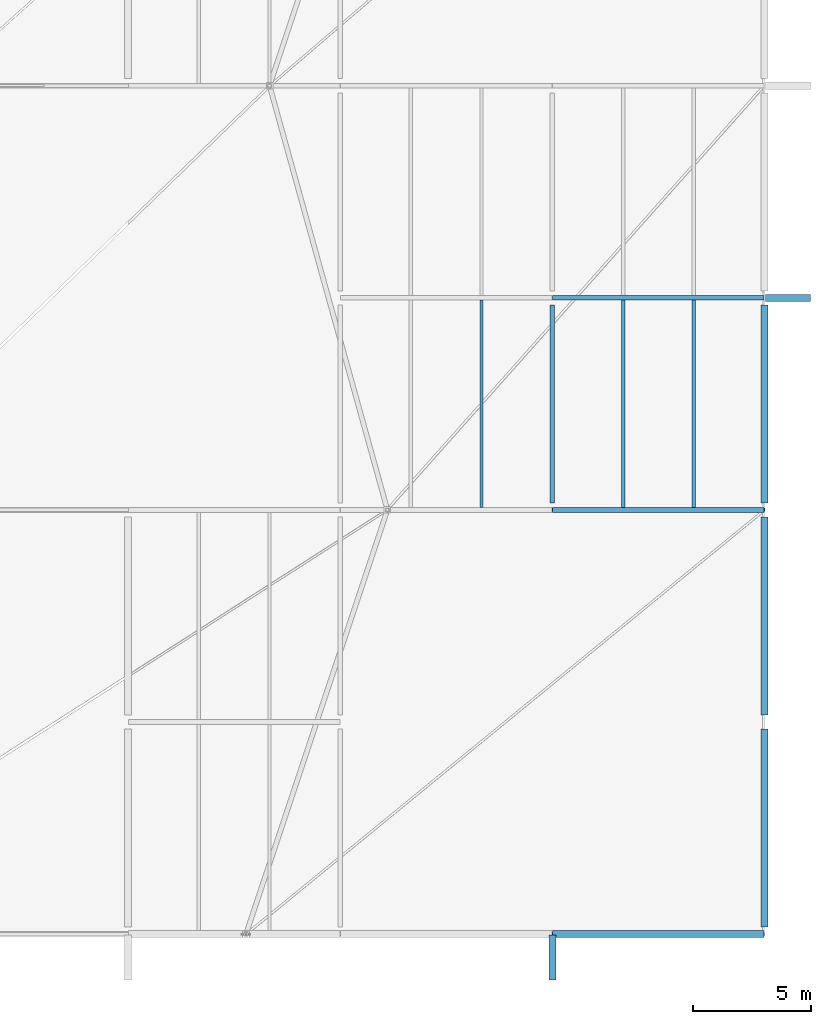
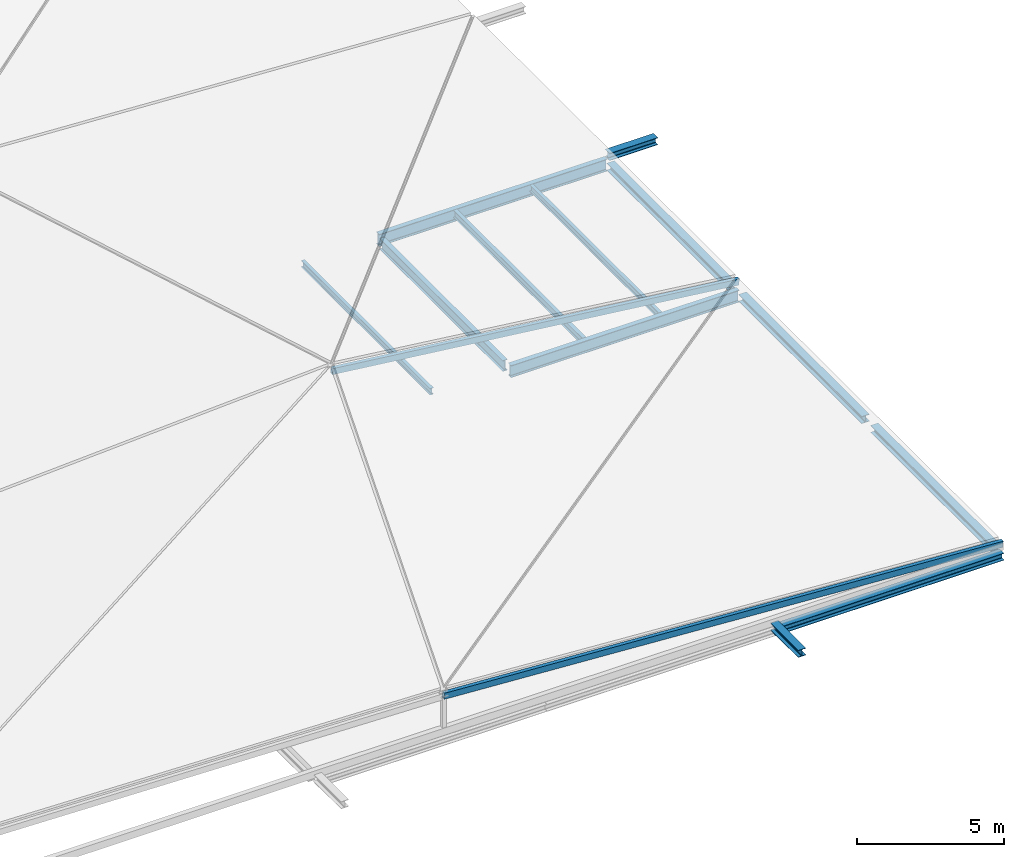
# One storey, part 6 of 18: 12 beams, 2 members.
"""IFC4 building model written with IfcOpenShell, lengths in metres."""

from ifc_helpers import new_model, si_unit, direction, frame, origin, origin_2d, place, context, subcontext, project, spatial, hollow_rectangle, i_section, extrude, material, material_profile, profile_set, type_object, element, save


model = new_model("IFC4")

# Units and contexts
model_context = context("Model", 3, precision=1e-05, world=origin(), true_north=direction((0.0, 1.0)))
body_context = subcontext(model_context, "Body", "Model", "MODEL_VIEW")
ifc_project = project(units=[si_unit("LENGTHUNIT", "METRE"), si_unit("AREAUNIT", "SQUARE_METRE"), si_unit("VOLUMEUNIT", "CUBIC_METRE"), si_unit("PLANEANGLEUNIT", "RADIAN"), si_unit("MASSUNIT", "GRAM", prefix="KILO")], contexts=[model_context])

# Site, building, storey
site_placement = place(None, origin())
site = spatial("IfcSite", under=ifc_project, at=site_placement, CompositionType="ELEMENT")
building_placement = place(site_placement, origin())
building = spatial("IfcBuilding", under=site, at=building_placement, Name="Deido Ridge Mobility Hub", CompositionType="ELEMENT")
storey_placement = place(building_placement, frame((0.0, 0.0, 29.39990234375)))
storey = spatial("IfcBuildingStorey", under=building, at=storey_placement, Name="RF", CompositionType="ELEMENT", Elevation=29.39990234375)

# Beams
ifc_material_1 = material(Name="Steel S355J2 EN 10025-2", Category="steel")
ifc_material_profile_1 = material_profile(ifc_material_1, i_section(OverallWidth=0.18994140625, OverallDepth=0.449951171875, WebThickness=0.009521484375, FlangeThickness=0.0146484375, FilletRadius=0.02099609375, at=origin_2d()), Name="IPE 450")
ifc_profile_set_1 = profile_set([ifc_material_profile_1], Name="Steel S355J2 EN 10025-2")
beam_type_1 = type_object("IfcBeamType", Name="BM-IPE450", PredefinedType="BEAM", material=ifc_profile_set_1)
beam_1_placement = place(storey_placement, frame((171.0, 18.300048828125, -0.46484375), z_axis=(0.0, 1.0, 0.0), x_axis=(-1.0, 0.0, 0.0)))
element("IfcBeam", 1, at=beam_1_placement, inside=storey, type_object=beam_type_1, Name="Floor beam B4", PredefinedType="BEAM", context=body_context, shape_type="SweptSolid", body=[
    extrude(i_section(OverallWidth=0.18994140625, OverallDepth=0.449951171875, WebThickness=0.009521484375, FlangeThickness=0.0146484375, FilletRadius=0.02099609375, at=origin_2d()), origin(), (0.0, 0.0, 1.0), 8.39990234375),
])
ifc_material_profile_2 = material_profile(ifc_material_1, i_section(OverallWidth=0.199951171875, OverallDepth=0.5, WebThickness=0.01025390625, FlangeThickness=0.01611328125, FilletRadius=0.02099609375, at=origin_2d()), Name="IPE 500")
ifc_profile_set_2 = profile_set([ifc_material_profile_2], Name="Steel S355J2 EN 10025-2")
beam_type_2 = type_object("IfcBeamType", Name="BM-IPE500", PredefinedType="BEAM", material=ifc_profile_set_2)
for number, where, z_axis, x_axis, name in (
    (2, (171.0078125, 18.0, -0.489990234375), (1.0, 0.0, 0.0), (0.0, 1.0, 0.0), "Floor beam B3"),
    (3, (171.0078125, 27.0, -0.489990234375), (1.0, 0.0, 0.0), (0.0, 1.0, 0.0), "Floor beam B3"),
):
    element("IfcBeam", number, at=place(storey_placement, frame(where, z_axis=z_axis, x_axis=x_axis)), inside=storey, type_object=beam_type_2, Name=name, PredefinedType="BEAM", context=body_context, shape_type="SweptSolid", body=[
        extrude(i_section(OverallWidth=0.199951171875, OverallDepth=0.5, WebThickness=0.01025390625, FlangeThickness=0.01611328125, FilletRadius=0.02099609375, at=origin_2d()), origin(), (0.0, 0.0, 1.0), 8.984375),
    ])
ifc_material_profile_3 = material_profile(ifc_material_1, i_section(OverallWidth=0.135009765625, OverallDepth=0.27001953125, WebThickness=0.006591796875, FlangeThickness=0.01025390625, FilletRadius=0.014892578125, at=origin_2d()), Name="IPE 270")
ifc_profile_set_3 = profile_set([ifc_material_profile_3], Name="Steel S355J2 EN 10025-2")
beam_type_3 = type_object("IfcBeamType", Name="JST-IPE270", PredefinedType="JOIST", material=ifc_profile_set_3)
for number, where, z_axis, x_axis, name in (
    (4, (168.0, 18.10009765625, -0.375), (0.0, 1.0, 0.0), (-1.0, 0.0, 0.0), "Composite joist J4"),
    (5, (177.0, 18.10009765625, -0.375), (0.0, 1.0, 0.0), (-1.0, 0.0, 0.0), "Composite joist J4"),
):
    element("IfcBeam", number, at=place(storey_placement, frame(where, z_axis=z_axis, x_axis=x_axis)), inside=storey, type_object=beam_type_3, Name=name, PredefinedType="JOIST", context=body_context, shape_type="SweptSolid", body=[
        extrude(i_section(OverallWidth=0.135009765625, OverallDepth=0.27001953125, WebThickness=0.006591796875, FlangeThickness=0.01025390625, FilletRadius=0.014892578125, at=origin_2d()), origin(), (0.0, 0.0, 1.0), 8.7998046875),
    ])
ifc_material_profile_4 = material_profile(ifc_material_1, i_section(OverallWidth=0.14990234375, OverallDepth=0.300048828125, WebThickness=0.007080078125, FlangeThickness=0.0107421875, FilletRadius=0.014892578125, at=origin_2d()), Name="IPE 300")
ifc_profile_set_4 = profile_set([ifc_material_profile_4], Name="Steel S355J2 EN 10025-2")
beam_type_4 = type_object("IfcBeamType", Name="JST-IPE300", PredefinedType="JOIST", material=ifc_profile_set_4)
beam_2_placement = place(storey_placement, frame((174.0, 18.10009765625, -0.389892578125), z_axis=(0.0, 1.0, 0.0), x_axis=(-1.0, 0.0, 0.0)))
element("IfcBeam", 6, at=beam_2_placement, inside=storey, type_object=beam_type_4, Name="Composite joist J3", PredefinedType="JOIST", context=body_context, shape_type="SweptSolid", body=[
    extrude(i_section(OverallWidth=0.14990234375, OverallDepth=0.300048828125, WebThickness=0.007080078125, FlangeThickness=0.0107421875, FilletRadius=0.014892578125, at=origin_2d()), origin(), (0.0, 0.0, 1.0), 8.7998046875),
])

# Members
ifc_material_2 = material(Name="Steel S355J2H EN 10210-1", Category="steel")
ifc_material_profile_5 = material_profile(ifc_material_2, hollow_rectangle(XDim=0.14990234375, YDim=0.25, WallThickness=0.010009765625, at=origin_2d()), Name="RHS 250x150x10")
ifc_profile_set_5 = profile_set([ifc_material_profile_5], Name="Steel S355J2H EN 10210-1")
member_type = type_object("IfcMemberType", Name="MEM-RAF-RHS250", PredefinedType="RAFTER", material=ifc_profile_set_5)
member_1_placement = place(storey_placement, frame((158.0, 0.0, 1.4501953125), z_axis=(0.998066345024, 0.0, -0.062157629708), x_axis=(0.0, 1.0, 0.0)))
element("IfcMember", 7, at=member_1_placement, inside=storey, type_object=member_type, Name="Crystal roof folded rafter RF1", PredefinedType="RAFTER", context=body_context, shape_type="SweptSolid", body=[
    extrude(hollow_rectangle(XDim=0.14990234375, YDim=0.25, WallThickness=0.010009765625, at=origin_2d()), origin(), (0.0, 0.0, 1.0), 22.042724609375),
])
member_2_placement = place(storey_placement, frame((164.0, 18.0, 1.9501953125), z_axis=(0.993238462253, 0.0, -0.116092019972), x_axis=(0.0, 1.0, 0.0)))
element("IfcMember", 8, at=member_2_placement, inside=storey, type_object=member_type, Name="Crystal roof folded rafter RF1", PredefinedType="RAFTER", context=body_context, shape_type="SweptSolid", body=[
    extrude(hollow_rectangle(XDim=0.14990234375, YDim=0.25, WallThickness=0.010009765625, at=origin_2d()), origin(), (0.0, 0.0, 1.0), 16.10888671875),
])

# Beams
ifc_material_profile_6 = material_profile(ifc_material_1, i_section(OverallWidth=0.300048828125, OverallDepth=0.300048828125, WebThickness=0.010986328125, FlangeThickness=0.01904296875, FilletRadius=0.027099609375, at=origin_2d()), Name="HEB 300")
ifc_profile_set_6 = profile_set([ifc_material_profile_6], Name="Steel S355J2 EN 10025-2")
beam_type_5 = type_object("IfcBeamType", Name="SPD-HEB300", PredefinedType="SPANDREL", material=ifc_profile_set_6)
beam_3_placement = place(storey_placement, frame((171.0078125, 0.0, -0.389892578125), z_axis=(1.0, 0.0, 0.0), x_axis=(0.0, 1.0, 0.0)))
element("IfcBeam", 9, at=beam_3_placement, inside=storey, type_object=beam_type_5, Name="Floor beam SP1", PredefinedType="SPANDREL", context=body_context, shape_type="SweptSolid", body=[
    extrude(i_section(OverallWidth=0.300048828125, OverallDepth=0.300048828125, WebThickness=0.010986328125, FlangeThickness=0.01904296875, FilletRadius=0.027099609375, at=origin_2d()), origin(), (0.0, 0.0, 1.0), 8.984375),
])
for number, where, z_axis, x_axis, name in (
    (10, (180.0, 0.300048828125, -0.389892578125), (0.0, 1.0, 0.0), (-1.0, 0.0, 0.0), "Floor beam SP1"),
    (11, (180.0, 9.300048828125, -0.389892578125), (0.0, 1.0, 0.0), (-1.0, 0.0, 0.0), "Floor beam SP1"),
    (12, (180.0, 18.300048828125, -0.389892578125), (0.0, 1.0, 0.0), (-1.0, 0.0, 0.0), "Floor beam SP1"),
):
    element("IfcBeam", number, at=place(storey_placement, frame(where, z_axis=z_axis, x_axis=x_axis)), inside=storey, type_object=beam_type_5, Name=name, PredefinedType="SPANDREL", context=body_context, shape_type="SweptSolid", body=[
        extrude(i_section(OverallWidth=0.300048828125, OverallDepth=0.300048828125, WebThickness=0.010986328125, FlangeThickness=0.01904296875, FilletRadius=0.027099609375, at=origin_2d()), origin(), (0.0, 0.0, 1.0), 8.39990234375),
    ])
for number, where, z_axis, x_axis, name in (
    (13, (171.0, -0.050048828125, -0.14990234375), (0.0, -1.0, 0.0), (1.0, 0.0, 0.0), "Exoskeleton outrigger beam SP1"),
    (14, (180.050048828125, 27.0, -0.14990234375), (1.0, 0.0, 0.0), (0.0, 1.0, 0.0), "Exoskeleton outrigger beam SP1"),
):
    element("IfcBeam", number, at=place(storey_placement, frame(where, z_axis=z_axis, x_axis=x_axis)), inside=storey, type_object=beam_type_5, Name=name, PredefinedType="SPANDREL", context=body_context, shape_type="SweptSolid", body=[
        extrude(i_section(OverallWidth=0.300048828125, OverallDepth=0.300048828125, WebThickness=0.010986328125, FlangeThickness=0.01904296875, FilletRadius=0.027099609375, at=origin_2d()), origin(), (0.0, 0.0, 1.0), 1.89990234375),
    ])

save(model, "model.ifc")
